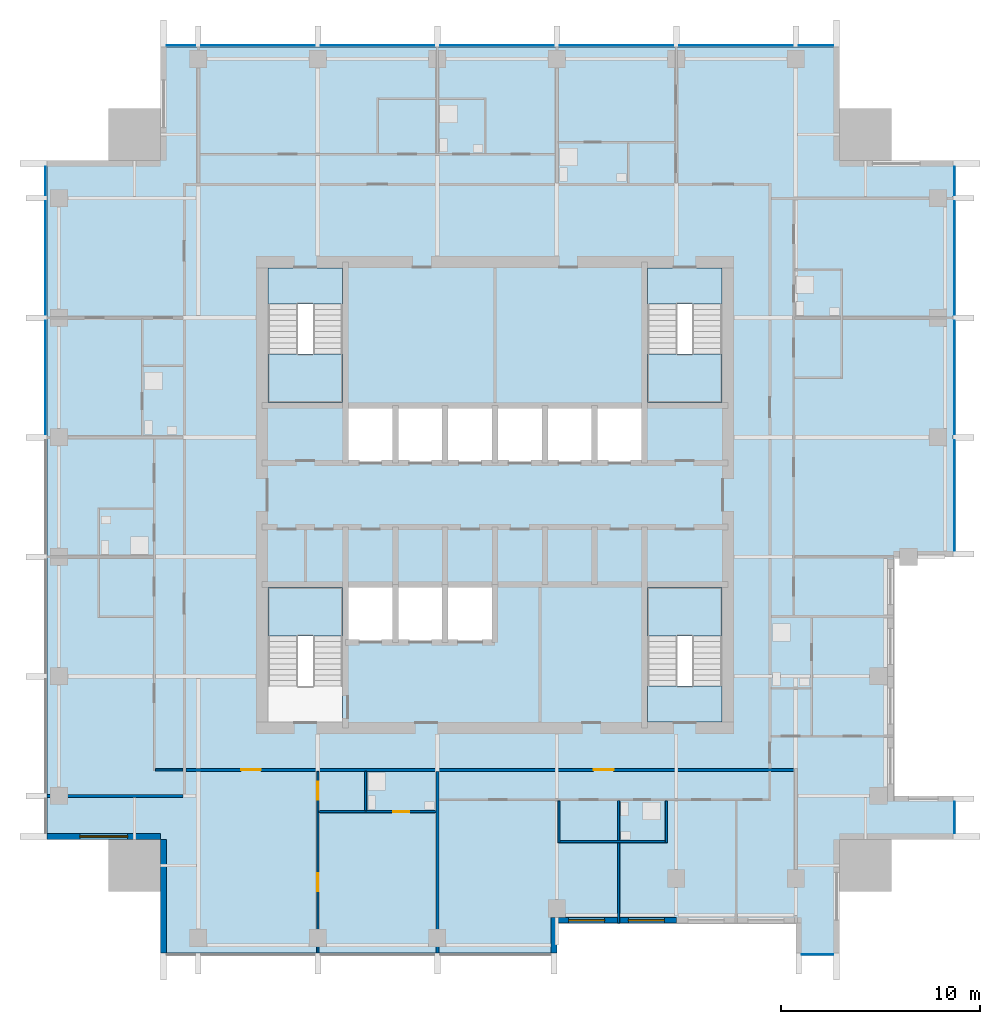
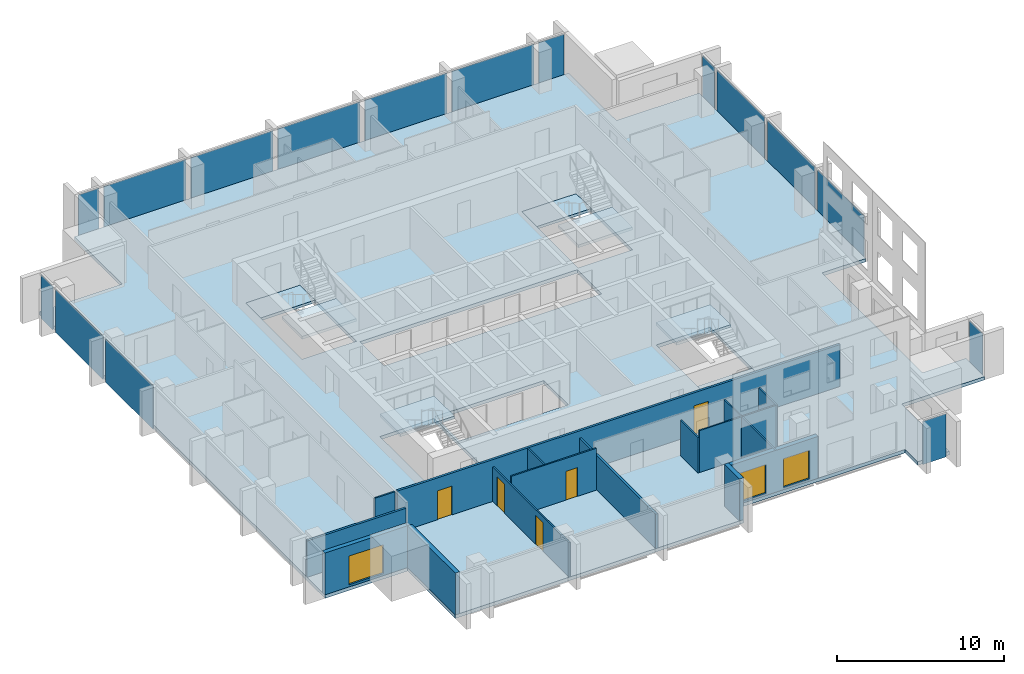
# One storey, part 3 of 10: 16 plates, 15 walls, 8 slabs, 5 doors, 3 windows, 8 openings, 9 elements without a shape of their own.
"""IFC4 building model written with IfcOpenShell, lengths in metres."""

from ifc_helpers import new_model, si_unit, direction, frame, frame_2d, origin, origin_2d, place, context, subcontext, project, spatial, polyline, rectangle, outline, extrude, material, layer, layer_set, type_object, element, fill, aggregate, save


model = new_model("IFC4")

# Units and contexts
model_context = context("Model", 3, precision=1e-05, world=origin(), true_north=direction((0.0, 1.0)))
body_context = subcontext(model_context, "Body", "Model", "MODEL_VIEW")
ifc_project = project(units=[si_unit("LENGTHUNIT", "METRE"), si_unit("AREAUNIT", "SQUARE_METRE"), si_unit("VOLUMEUNIT", "CUBIC_METRE"), si_unit("PLANEANGLEUNIT", "RADIAN"), si_unit("MASSUNIT", "GRAM", prefix="KILO")], contexts=[model_context])

# Site, building, storey
site_placement = place(None, origin())
site = spatial("IfcSite", under=ifc_project, at=site_placement, CompositionType="ELEMENT")
building_placement = place(site_placement, origin())
building = spatial("IfcBuilding", under=site, at=building_placement, Name="Amberfall Residences", CompositionType="ELEMENT")
storey_placement = place(building_placement, frame((0.0, 0.0, 206.800048828125)))
storey = spatial("IfcBuildingStorey", under=building, at=storey_placement, Name="L55", CompositionType="ELEMENT", Elevation=206.800048828125)

# Curtain wall, plate
ifc_material_1 = material(Name="Bronze anodised aluminium and glass", Category="aluminium")
curtain_wall_type = type_object("IfcCurtainWallType", Name="Curtain wall CW1 tower unit", PredefinedType="USERDEFINED", material=ifc_material_1)
curtain_wall_1_placement = place(storey_placement, origin())
curtain_wall_1 = element("IfcCurtainWall", 1, at=curtain_wall_1_placement, inside=storey, type_object=curtain_wall_type, Name="Curtain wall L55 S S6", ObjectType="UNITISED CURTAIN WALL", PredefinedType="USERDEFINED")
ifc_material_2 = material(Name="Tinted double glazed unit", Category="glass")
ifc_layer_1 = layer(ifc_material_2, 0.035888671875)
ifc_layer_set_1 = layer_set([ifc_layer_1], Name="CW1 panel 36 glazing")
plate_type = type_object("IfcPlateType", Name="CW1 panel 36 glazing", PredefinedType="CURTAIN_PANEL", material=ifc_layer_set_1)
plate_1_placement = place(storey_placement, frame((90.699951171875, 22.425048828125, -0.25), z_axis=(0.0, 0.0, 1.0), x_axis=(1.0, 0.0, 0.0)))
plate_1 = element("IfcPlate", 2, at=plate_1_placement, type_object=plate_type, Name="CW1 panel 1.1", PredefinedType="CURTAIN_PANEL", context=body_context, shape_type="SweptSolid", body=[
    extrude(rectangle(XDim=1.575927734375, YDim=0.035888671875, at=origin_2d()), origin(), (0.0, 0.0, 1.0), 3.14990234375),
])
aggregate(curtain_wall_1, [plate_1])

curtain_wall_2_placement = place(storey_placement, origin())
curtain_wall_2 = element("IfcCurtainWall", 3, at=curtain_wall_2_placement, inside=storey, type_object=curtain_wall_type, Name="Curtain wall L55 E E1", ObjectType="UNITISED CURTAIN WALL", PredefinedType="USERDEFINED")
plate_2_placement = place(storey_placement, frame((97.574951171875, 29.300048828125, -0.25), z_axis=(0.0, 0.0, 1.0), x_axis=(0.0, 1.0, 0.0)))
plate_2 = element("IfcPlate", 4, at=plate_2_placement, type_object=plate_type, Name="CW1 panel 1.1", PredefinedType="CURTAIN_PANEL", context=body_context, shape_type="SweptSolid", body=[
    extrude(rectangle(XDim=1.575927734375, YDim=0.035888671875, at=origin_2d()), origin(), (0.0, 0.0, 1.0), 3.14990234375),
])
aggregate(curtain_wall_2, [plate_2])

# Curtain wall, plates
curtain_wall_3_placement = place(storey_placement, origin())
curtain_wall_3 = element("IfcCurtainWall", 5, at=curtain_wall_3_placement, inside=storey, type_object=curtain_wall_type, Name="Curtain wall L55 E E6", ObjectType="UNITISED CURTAIN WALL", PredefinedType="USERDEFINED")
plate_3_placement = place(storey_placement, frame((97.574951171875, 45.47509765625, -0.25), z_axis=(0.0, 0.0, 1.0), x_axis=(0.0, 1.0, 0.0)))
plate_3 = element("IfcPlate", 6, at=plate_3_placement, type_object=plate_type, Name="CW1 panel 1.1", PredefinedType="CURTAIN_PANEL", context=body_context, shape_type="SweptSolid", body=[
    extrude(rectangle(XDim=5.52587890625, YDim=0.035888671875, at=origin_2d()), origin(), (0.0, 0.0, 1.0), 3.14990234375),
])
plate_4_placement = place(storey_placement, frame((97.574951171875, 51.39990234375, -0.25), z_axis=(0.0, 0.0, 1.0), x_axis=(0.0, 1.0, 0.0)))
plate_4 = element("IfcPlate", 7, at=plate_4_placement, type_object=plate_type, Name="CW1 panel 2.1", PredefinedType="CURTAIN_PANEL", context=body_context, shape_type="SweptSolid", body=[
    extrude(rectangle(XDim=5.676025390625, YDim=0.035888671875, at=origin_2d()), origin(), (0.0, 0.0, 1.0), 3.14990234375),
])
plate_5_placement = place(storey_placement, frame((97.574951171875, 57.39990234375, -0.25), z_axis=(0.0, 0.0, 1.0), x_axis=(0.0, 1.0, 0.0)))
plate_5 = element("IfcPlate", 8, at=plate_5_placement, type_object=plate_type, Name="CW1 panel 3.1", PredefinedType="CURTAIN_PANEL", context=body_context, shape_type="SweptSolid", body=[
    extrude(rectangle(XDim=5.676025390625, YDim=0.035888671875, at=origin_2d()), origin(), (0.0, 0.0, 1.0), 3.14990234375),
])
plate_6_placement = place(storey_placement, frame((97.574951171875, 61.27490234375, -0.25), z_axis=(0.0, 0.0, 1.0), x_axis=(0.0, 1.0, 0.0)))
plate_6 = element("IfcPlate", 9, at=plate_6_placement, type_object=plate_type, Name="CW1 panel 4.1", PredefinedType="CURTAIN_PANEL", context=body_context, shape_type="SweptSolid", body=[
    extrude(rectangle(XDim=1.426025390625, YDim=0.035888671875, at=origin_2d()), origin(), (0.0, 0.0, 1.0), 3.14990234375),
])
aggregate(curtain_wall_3, [plate_3, plate_4, plate_5, plate_6])

curtain_wall_4_placement = place(storey_placement, origin())
curtain_wall_4 = element("IfcCurtainWall", 10, at=curtain_wall_4_placement, inside=storey, type_object=curtain_wall_type, Name="Curtain wall L55 N N1", ObjectType="UNITISED CURTAIN WALL", PredefinedType="USERDEFINED")
plate_7_placement = place(storey_placement, frame((90.625, 68.074951171875, -0.25), z_axis=(0.0, 0.0, 1.0), x_axis=(-1.0, 0.0, 0.0)))
plate_7 = element("IfcPlate", 11, at=plate_7_placement, type_object=plate_type, Name="CW1 panel 1.1", PredefinedType="CURTAIN_PANEL", context=body_context, shape_type="SweptSolid", body=[
    extrude(rectangle(XDim=1.72607421875, YDim=0.035888671875, at=origin_2d()), origin(), (0.0, 0.0, 1.0), 3.14990234375),
])
plate_8_placement = place(storey_placement, frame((86.60009765625, 68.074951171875, -0.25), z_axis=(0.0, 0.0, 1.0), x_axis=(-1.0, 0.0, 0.0)))
plate_8 = element("IfcPlate", 12, at=plate_8_placement, type_object=plate_type, Name="CW1 panel 2.1", PredefinedType="CURTAIN_PANEL", context=body_context, shape_type="SweptSolid", body=[
    extrude(rectangle(XDim=5.676025390625, YDim=0.035888671875, at=origin_2d()), origin(), (0.0, 0.0, 1.0), 3.14990234375),
])
plate_9_placement = place(storey_placement, frame((80.60009765625, 68.074951171875, -0.25), z_axis=(0.0, 0.0, 1.0), x_axis=(-1.0, 0.0, 0.0)))
plate_9 = element("IfcPlate", 13, at=plate_9_placement, type_object=plate_type, Name="CW1 panel 3.1", PredefinedType="CURTAIN_PANEL", context=body_context, shape_type="SweptSolid", body=[
    extrude(rectangle(XDim=5.676025390625, YDim=0.035888671875, at=origin_2d()), origin(), (0.0, 0.0, 1.0), 3.14990234375),
])
plate_10_placement = place(storey_placement, frame((74.60009765625, 68.074951171875, -0.25), z_axis=(0.0, 0.0, 1.0), x_axis=(-1.0, 0.0, 0.0)))
plate_10 = element("IfcPlate", 14, at=plate_10_placement, type_object=plate_type, Name="CW1 panel 4.1", PredefinedType="CURTAIN_PANEL", context=body_context, shape_type="SweptSolid", body=[
    extrude(rectangle(XDim=5.676025390625, YDim=0.035888671875, at=origin_2d()), origin(), (0.0, 0.0, 1.0), 3.14990234375),
])
plate_11_placement = place(storey_placement, frame((68.60009765625, 68.074951171875, -0.25), z_axis=(0.0, 0.0, 1.0), x_axis=(-1.0, 0.0, 0.0)))
plate_11 = element("IfcPlate", 15, at=plate_11_placement, type_object=plate_type, Name="CW1 panel 5.1", PredefinedType="CURTAIN_PANEL", context=body_context, shape_type="SweptSolid", body=[
    extrude(rectangle(XDim=5.676025390625, YDim=0.035888671875, at=origin_2d()), origin(), (0.0, 0.0, 1.0), 3.14990234375),
])
plate_12_placement = place(storey_placement, frame((62.60009765625, 68.074951171875, -0.25), z_axis=(0.0, 0.0, 1.0), x_axis=(-1.0, 0.0, 0.0)))
plate_12 = element("IfcPlate", 16, at=plate_12_placement, type_object=plate_type, Name="CW1 panel 6.1", PredefinedType="CURTAIN_PANEL", context=body_context, shape_type="SweptSolid", body=[
    extrude(rectangle(XDim=5.676025390625, YDim=0.035888671875, at=origin_2d()), origin(), (0.0, 0.0, 1.0), 3.14990234375),
])
plate_13_placement = place(storey_placement, frame((58.72509765625, 68.074951171875, -0.25), z_axis=(0.0, 0.0, 1.0), x_axis=(-1.0, 0.0, 0.0)))
plate_13 = element("IfcPlate", 17, at=plate_13_placement, type_object=plate_type, Name="CW1 panel 7.1", PredefinedType="CURTAIN_PANEL", context=body_context, shape_type="SweptSolid", body=[
    extrude(rectangle(XDim=1.426025390625, YDim=0.035888671875, at=origin_2d()), origin(), (0.0, 0.0, 1.0), 3.14990234375),
])
aggregate(curtain_wall_4, [plate_7, plate_8, plate_9, plate_10, plate_11, plate_12, plate_13])

curtain_wall_5_placement = place(storey_placement, origin())
curtain_wall_5 = element("IfcCurtainWall", 18, at=curtain_wall_5_placement, inside=storey, type_object=curtain_wall_type, Name="Curtain wall L55 W W1", ObjectType="UNITISED CURTAIN WALL", PredefinedType="USERDEFINED")
plate_14_placement = place(storey_placement, frame((51.925048828125, 61.27490234375, -0.25), z_axis=(0.0, 0.0, 1.0), x_axis=(0.0, -1.0, 0.0)))
plate_14 = element("IfcPlate", 19, at=plate_14_placement, type_object=plate_type, Name="CW1 panel 1.1", PredefinedType="CURTAIN_PANEL", context=body_context, shape_type="SweptSolid", body=[
    extrude(rectangle(XDim=1.426025390625, YDim=0.035888671875, at=origin_2d()), origin(), (0.0, 0.0, 1.0), 3.14990234375),
])
plate_15_placement = place(storey_placement, frame((51.925048828125, 57.39990234375, -0.25), z_axis=(0.0, 0.0, 1.0), x_axis=(0.0, -1.0, 0.0)))
plate_15 = element("IfcPlate", 20, at=plate_15_placement, type_object=plate_type, Name="CW1 panel 2.1", PredefinedType="CURTAIN_PANEL", context=body_context, shape_type="SweptSolid", body=[
    extrude(rectangle(XDim=5.676025390625, YDim=0.035888671875, at=origin_2d()), origin(), (0.0, 0.0, 1.0), 3.14990234375),
])
plate_16_placement = place(storey_placement, frame((51.925048828125, 51.39990234375, -0.25), z_axis=(0.0, 0.0, 1.0), x_axis=(0.0, -1.0, 0.0)))
plate_16 = element("IfcPlate", 21, at=plate_16_placement, type_object=plate_type, Name="CW1 panel 3.1", PredefinedType="CURTAIN_PANEL", context=body_context, shape_type="SweptSolid", body=[
    extrude(rectangle(XDim=5.676025390625, YDim=0.035888671875, at=origin_2d()), origin(), (0.0, 0.0, 1.0), 3.14990234375),
])
aggregate(curtain_wall_5, [plate_14, plate_15, plate_16])

# Slab
ifc_material_3 = material(Name="Concrete C55", Category="concrete")
ifc_layer_2 = layer(ifc_material_3, 0.25)
ifc_layer_set_2 = layer_set([ifc_layer_2], Name="Floor slab 250 C55")
slab_type_1 = type_object("IfcSlabType", Name="Floor slab 250 C55", PredefinedType="FLOOR", material=ifc_layer_set_2)
slab_1_placement = place(storey_placement, frame((0.0, 0.0, -0.25)))
element("IfcSlab", 22, at=slab_1_placement, inside=storey, type_object=slab_type_1, Name="Floor slab S16 L55", PredefinedType="FLOOR", context=body_context, shape_type="SweptSolid", body=[
    extrude(outline(polyline([(89.60009765625, 22.5), (89.60009765625, 24.0), (83.60009765625, 24.0), (77.60009765625, 24.0), (77.60009765625, 22.5), (57.699951171875, 22.5), (57.699951171875, 28.199951171875), (52.0, 28.199951171875), (52.0, 62.300048828125), (57.699951171875, 62.300048828125), (57.699951171875, 68.0), (91.800048828125, 68.0), (91.800048828125, 62.300048828125), (97.5, 62.300048828125), (97.5, 42.39990234375), (94.5, 42.39990234375), (94.5, 36.39990234375), (94.5, 30.39990234375), (97.5, 30.39990234375), (97.5, 28.199951171875), (91.800048828125, 28.199951171875), (91.800048828125, 22.5), (89.60009765625, 22.5)]), holes=[polyline([(85.89990234375, 34.10009765625), (85.89990234375, 40.85009765625), (82.14990234375, 40.85009765625), (82.14990234375, 34.10009765625), (85.89990234375, 34.10009765625)]), polyline([(85.89990234375, 50.14990234375), (85.89990234375, 56.89990234375), (82.14990234375, 56.89990234375), (82.14990234375, 50.14990234375), (85.89990234375, 50.14990234375)]), polyline([(67.0, 50.0), (67.0, 47.10009765625), (69.5, 47.10009765625), (72.0, 47.10009765625), (74.5, 47.10009765625), (77.0, 47.10009765625), (79.5, 47.10009765625), (82.0, 47.10009765625), (82.0, 50.0), (79.5, 50.0), (77.0, 50.0), (74.5, 50.0), (72.0, 50.0), (69.5, 50.0), (67.0, 50.0)]), polyline([(69.5, 41.0), (67.0, 41.0), (67.0, 38.10009765625), (69.5, 38.10009765625), (72.0, 38.10009765625), (74.5, 38.10009765625), (74.5, 41.0), (72.0, 41.0), (69.5, 41.0)]), polyline([(66.85009765625, 40.85009765625), (63.10009765625, 40.85009765625), (63.10009765625, 34.10009765625), (66.85009765625, 34.10009765625), (66.85009765625, 40.85009765625)]), polyline([(66.85009765625, 56.89990234375), (63.10009765625, 56.89990234375), (63.10009765625, 50.14990234375), (66.85009765625, 50.14990234375), (66.85009765625, 56.89990234375)])]), origin(), (0.0, 0.0, 1.0), 0.25),
])

# Stair, slab
ifc_material_4 = material(Name="Concrete C40", Category="concrete")
stair_type = type_object("IfcStairType", Name="Exit stair 20 risers 165.0 mm", PredefinedType="HALF_TURN_STAIR", material=ifc_material_4)
stair_1_placement = place(storey_placement, origin())
stair_1 = element("IfcStair", 23, at=stair_1_placement, inside=storey, type_object=stair_type, Name="L55 Exit stair 1", PredefinedType="HALF_TURN_STAIR")
ifc_layer_3 = layer(ifc_material_4, 0.199951171875)
ifc_layer_set_3 = layer_set([ifc_layer_3], Name="Stair landing 200")
slab_type_2 = type_object("IfcSlabType", Name="Stair landing 200", PredefinedType="LANDING", material=ifc_layer_set_3)
slab_2_placement = place(storey_placement, frame((0.0, 0.0, 1.449951171875)))
slab_2 = element("IfcSlab", 24, at=slab_2_placement, type_object=slab_type_2, Name="ST3 landing 1", PredefinedType="LANDING", context=body_context, shape_type="SweptSolid", body=[
    extrude(outline(polyline([(66.85009765625, 38.419921875), (66.85009765625, 40.85009765625), (63.10009765625, 40.85009765625), (63.10009765625, 38.419921875), (66.85009765625, 38.419921875)])), origin(), (0.0, 0.0, 1.0), 0.199951171875),
])
aggregate(stair_1, [slab_2])

# Stair, slabs
stair_2_placement = place(storey_placement, origin())
stair_2 = element("IfcStair", 25, at=stair_2_placement, inside=storey, type_object=stair_type, Name="L55 Exit stair 2", PredefinedType="HALF_TURN_STAIR")
slab_3_placement = place(storey_placement, frame((0.0, 0.0, 1.449951171875)))
slab_3 = element("IfcSlab", 26, at=slab_3_placement, type_object=slab_type_2, Name="ST3 landing 1", PredefinedType="LANDING", context=body_context, shape_type="SweptSolid", body=[
    extrude(outline(polyline([(85.89990234375, 38.419921875), (85.89990234375, 40.85009765625), (82.14990234375, 40.85009765625), (82.14990234375, 38.419921875), (85.89990234375, 38.419921875)])), origin(), (0.0, 0.0, 1.0), 0.199951171875),
])
slab_4_placement = place(storey_placement, frame((0.0, 0.0, -0.199951171875)))
slab_4 = element("IfcSlab", 27, at=slab_4_placement, type_object=slab_type_2, Name="ST3 landing 2", PredefinedType="LANDING", context=body_context, shape_type="SweptSolid", body=[
    extrude(outline(polyline([(85.89990234375, 34.10009765625), (85.89990234375, 35.89990234375), (82.14990234375, 35.89990234375), (82.14990234375, 34.10009765625), (85.89990234375, 34.10009765625)])), origin(), (0.0, 0.0, 1.0), 0.199951171875),
])
aggregate(stair_2, [slab_3, slab_4])

stair_3_placement = place(storey_placement, origin())
stair_3 = element("IfcStair", 28, at=stair_3_placement, inside=storey, type_object=stair_type, Name="L55 Exit stair 3", PredefinedType="HALF_TURN_STAIR")
slab_5_placement = place(storey_placement, frame((0.0, 0.0, 1.449951171875)))
slab_5 = element("IfcSlab", 29, at=slab_5_placement, type_object=slab_type_2, Name="ST3 landing 1", PredefinedType="LANDING", context=body_context, shape_type="SweptSolid", body=[
    extrude(outline(polyline([(82.14990234375, 52.580078125), (82.14990234375, 50.14990234375), (85.89990234375, 50.14990234375), (85.89990234375, 52.580078125), (82.14990234375, 52.580078125)])), origin(), (0.0, 0.0, 1.0), 0.199951171875),
])
slab_6_placement = place(storey_placement, frame((0.0, 0.0, -0.199951171875)))
slab_6 = element("IfcSlab", 30, at=slab_6_placement, type_object=slab_type_2, Name="ST3 landing 2", PredefinedType="LANDING", context=body_context, shape_type="SweptSolid", body=[
    extrude(outline(polyline([(82.14990234375, 56.89990234375), (82.14990234375, 55.10009765625), (85.89990234375, 55.10009765625), (85.89990234375, 56.89990234375), (82.14990234375, 56.89990234375)])), origin(), (0.0, 0.0, 1.0), 0.199951171875),
])
aggregate(stair_3, [slab_5, slab_6])

stair_4_placement = place(storey_placement, origin())
stair_4 = element("IfcStair", 31, at=stair_4_placement, inside=storey, type_object=stair_type, Name="L55 Exit stair 4", PredefinedType="HALF_TURN_STAIR")
slab_7_placement = place(storey_placement, frame((0.0, 0.0, 1.449951171875)))
slab_7 = element("IfcSlab", 32, at=slab_7_placement, type_object=slab_type_2, Name="ST3 landing 1", PredefinedType="LANDING", context=body_context, shape_type="SweptSolid", body=[
    extrude(outline(polyline([(63.10009765625, 52.580078125), (63.10009765625, 50.14990234375), (66.85009765625, 50.14990234375), (66.85009765625, 52.580078125), (63.10009765625, 52.580078125)])), origin(), (0.0, 0.0, 1.0), 0.199951171875),
])
slab_8_placement = place(storey_placement, frame((0.0, 0.0, -0.199951171875)))
slab_8 = element("IfcSlab", 33, at=slab_8_placement, type_object=slab_type_2, Name="ST3 landing 2", PredefinedType="LANDING", context=body_context, shape_type="SweptSolid", body=[
    extrude(outline(polyline([(63.10009765625, 56.89990234375), (63.10009765625, 55.10009765625), (66.85009765625, 55.10009765625), (66.85009765625, 56.89990234375), (63.10009765625, 56.89990234375)])), origin(), (0.0, 0.0, 1.0), 0.199951171875),
])
aggregate(stair_4, [slab_7, slab_8])

# Wall
ifc_material_5 = material(Name="Pale stone cladding on insulated backing", Category="masonry")
ifc_layer_4 = layer(ifc_material_5, 0.300048828125)
ifc_layer_set_4 = layer_set([ifc_layer_4], Name="Bronze clad wall 300")
wall_type_1 = type_object("IfcWallType", Name="Bronze clad wall 300", PredefinedType="SOLIDWALL", material=ifc_layer_set_4)
wall_1_placement = place(storey_placement, frame((77.449951171875, 22.5, 0.0), z_axis=(0.0, 0.0, 1.0), x_axis=(0.0, 1.0, 0.0)))
element("IfcWall", 34, at=wall_1_placement, inside=storey, type_object=wall_type_1, Name="External wall L55 S", PredefinedType="SOLIDWALL", context=body_context, shape_type="SweptSolid", body=[
    extrude(rectangle(XDim=1.800048828125, YDim=0.300048828125, at=frame_2d((0.89990234375, 0.0))), origin(), (0.0, 0.0, 1.0), 3.050048828125),
])

# Wall, opening, window
wall_2_placement = place(storey_placement, frame((52.0, 28.35009765625, 0.0), z_axis=(0.0, 0.0, 1.0), x_axis=(1.0, 0.0, 0.0)))
wall_2 = element("IfcWall", 35, at=wall_2_placement, inside=storey, type_object=wall_type_1, Name="External wall L55 SW", PredefinedType="SOLIDWALL", context=body_context, shape_type="SweptSolid", body=[
    extrude(rectangle(XDim=5.699951171875, YDim=0.300048828125, at=frame_2d((2.85009765625, 0.0))), origin(), (0.0, 0.0, 1.0), 3.050048828125),
])
opening_1_placement = place(wall_2_placement, frame((1.64990234375, 0.0, 0.14990234375)))
opening_1 = element("IfcOpeningElement", 36, at=opening_1_placement, cuts=wall_2, Name="Opening WN5", PredefinedType="OPENING", context=body_context, shape_type="SweptSolid", body=[
    extrude(rectangle(XDim=2.39990234375, YDim=2.10009765625, at=frame_2d((1.199951171875, 1.050048828125))), frame((0.0, 0.159912109375, 0.0), z_axis=(0.0, -1.0, 0.0), x_axis=(1.0, 0.0, 0.0)), (0.0, 0.0, 1.0), 0.320068359375),
])
ifc_material_6 = material(Name="Bronze aluminium framed glazing", Category="aluminium")
window_type_1 = type_object("IfcWindowType", Name="Glazed opening 2400 x 2100 bronze", PartitioningType="DOUBLE_PANEL_VERTICAL", PredefinedType="WINDOW", material=ifc_material_6)
window_1_placement = place(opening_1_placement, origin())
window_1 = element("IfcWindow", 37, at=window_1_placement, inside=storey, type_object=window_type_1, Name="Window L55 SW", OverallHeight=2.10009765625, OverallWidth=2.39990234375, PartitioningType="DOUBLE_PANEL_VERTICAL", PredefinedType="WINDOW", context=body_context, shape_type="SweptSolid", body=[
    extrude(rectangle(XDim=2.39990234375, YDim=2.10009765625, at=frame_2d((1.199951171875, 1.050048828125))), frame((0.0, 0.030029296875, 0.0), z_axis=(0.0, -1.0, 0.0), x_axis=(1.0, 0.0, 0.0)), (0.0, 0.0, 1.0), 0.06005859375),
])
fill(opening_1, window_1)

# Wall
wall_3_placement = place(storey_placement, frame((57.85009765625, 28.199951171875, 0.0), z_axis=(0.0, 0.0, 1.0), x_axis=(0.0, -1.0, 0.0)))
element("IfcWall", 38, at=wall_3_placement, inside=storey, type_object=wall_type_1, Name="External wall L55 SW", PredefinedType="SOLIDWALL", context=body_context, shape_type="SweptSolid", body=[
    extrude(rectangle(XDim=5.699951171875, YDim=0.300048828125, at=frame_2d((2.85009765625, 0.0))), origin(), (0.0, 0.0, 1.0), 3.050048828125),
])

# Wall, openings, windows
wall_4_placement = place(storey_placement, frame((77.60009765625, 24.14990234375, 0.0), z_axis=(0.0, 0.0, 1.0), x_axis=(1.0, 0.0, 0.0)))
wall_4 = element("IfcWall", 39, at=wall_4_placement, inside=storey, type_object=wall_type_1, Name="Stone wall L55 S", PredefinedType="SOLIDWALL", context=body_context, shape_type="SweptSolid", body=[
    extrude(rectangle(XDim=6.0, YDim=0.300048828125, at=frame_2d((3.0, 0.0))), origin(), (0.0, 0.0, 1.0), 3.050048828125),
])
opening_2_placement = place(wall_4_placement, frame((0.60009765625, 0.0, 0.14990234375)))
opening_2 = element("IfcOpeningElement", 40, at=opening_2_placement, cuts=wall_4, Name="Opening WN6", PredefinedType="OPENING", context=body_context, shape_type="SweptSolid", body=[
    extrude(rectangle(XDim=1.800048828125, YDim=2.10009765625, at=frame_2d((0.89990234375, 1.050048828125))), frame((0.0, 0.159912109375, 0.0), z_axis=(0.0, -1.0, 0.0), x_axis=(1.0, 0.0, 0.0)), (0.0, 0.0, 1.0), 0.320068359375),
])
opening_3_placement = place(wall_4_placement, frame((3.60009765625, 0.0, 0.14990234375)))
opening_3 = element("IfcOpeningElement", 41, at=opening_3_placement, cuts=wall_4, Name="Opening WN6", PredefinedType="OPENING", context=body_context, shape_type="SweptSolid", body=[
    extrude(rectangle(XDim=1.800048828125, YDim=2.10009765625, at=frame_2d((0.89990234375, 1.050048828125))), frame((0.0, 0.159912109375, 0.0), z_axis=(0.0, -1.0, 0.0), x_axis=(1.0, 0.0, 0.0)), (0.0, 0.0, 1.0), 0.320068359375),
])
window_type_2 = type_object("IfcWindowType", Name="Glazed opening 1800 x 2100 bronze", PartitioningType="DOUBLE_PANEL_VERTICAL", PredefinedType="WINDOW", material=ifc_material_6)
window_2_placement = place(opening_2_placement, origin())
window_2 = element("IfcWindow", 42, at=window_2_placement, inside=storey, type_object=window_type_2, Name="Window L55 S", OverallHeight=2.10009765625, OverallWidth=1.800048828125, PartitioningType="DOUBLE_PANEL_VERTICAL", PredefinedType="WINDOW", context=body_context, shape_type="SweptSolid", body=[
    extrude(rectangle(XDim=1.800048828125, YDim=2.10009765625, at=frame_2d((0.89990234375, 1.050048828125))), frame((0.0, 0.030029296875, 0.0), z_axis=(0.0, -1.0, 0.0), x_axis=(1.0, 0.0, 0.0)), (0.0, 0.0, 1.0), 0.06005859375),
])
fill(opening_2, window_2)
window_3_placement = place(opening_3_placement, origin())
window_3 = element("IfcWindow", 43, at=window_3_placement, inside=storey, type_object=window_type_2, Name="Window L55 S", OverallHeight=2.10009765625, OverallWidth=1.800048828125, PartitioningType="DOUBLE_PANEL_VERTICAL", PredefinedType="WINDOW", context=body_context, shape_type="SweptSolid", body=[
    extrude(rectangle(XDim=1.800048828125, YDim=2.10009765625, at=frame_2d((0.89990234375, 1.050048828125))), frame((0.0, 0.030029296875, 0.0), z_axis=(0.0, -1.0, 0.0), x_axis=(1.0, 0.0, 0.0)), (0.0, 0.0, 1.0), 0.06005859375),
])
fill(opening_3, window_3)

# Wall, openings, doors
ifc_material_7 = material(Name="Gypsum board on metal stud")
ifc_layer_5 = layer(ifc_material_7, 0.10009765625)
ifc_layer_set_5 = layer_set([ifc_layer_5], Name="Flat partition 100")
wall_type_2 = type_object("IfcWallType", Name="Flat partition 100", PredefinedType="PARTITIONING", material=ifc_layer_set_5)
wall_5_placement = place(storey_placement, frame((65.60009765625, 31.625, 0.0), z_axis=(0.0, 0.0, 1.0), x_axis=(0.0, -1.0, 0.0)))
wall_5 = element("IfcWall", 44, at=wall_5_placement, inside=storey, type_object=wall_type_2, Name="Partition 004", PredefinedType="PARTITIONING", context=body_context, shape_type="SweptSolid", body=[
    extrude(rectangle(XDim=9.125, YDim=0.10009765625, at=frame_2d((4.5625, 0.0))), origin(), (0.0, 0.0, 1.0), 2.515869140625),
])
opening_4_placement = place(wall_5_placement, frame((0.52490234375, 0.0, 0.0)))
opening_4 = element("IfcOpeningElement", 45, at=opening_4_placement, cuts=wall_5, Name="Opening D41", PredefinedType="OPENING", context=body_context, shape_type="SweptSolid", body=[
    extrude(rectangle(XDim=0.89990234375, YDim=2.10009765625, at=frame_2d((0.449951171875, 1.050048828125))), frame((0.0, 0.06005859375, 0.0), z_axis=(0.0, -1.0, 0.0), x_axis=(1.0, 0.0, 0.0)), (0.0, 0.0, 1.0), 0.1201171875),
])
opening_5_placement = place(wall_5_placement, frame((5.125, 0.0, 0.0)))
opening_5 = element("IfcOpeningElement", 46, at=opening_5_placement, cuts=wall_5, Name="Opening D41", PredefinedType="OPENING", context=body_context, shape_type="SweptSolid", body=[
    extrude(rectangle(XDim=0.89990234375, YDim=2.10009765625, at=frame_2d((0.449951171875, 1.050048828125))), frame((0.0, 0.06005859375, 0.0), z_axis=(0.0, -1.0, 0.0), x_axis=(1.0, 0.0, 0.0)), (0.0, 0.0, 1.0), 0.1201171875),
])
ifc_material_8 = material(Name="Timber", Category="wood")
door_type_1 = type_object("IfcDoorType", Name="Internal door 900 x 2100", OperationType="SINGLE_SWING_LEFT", PredefinedType="DOOR", material=ifc_material_8)
door_1_placement = place(opening_4_placement, origin())
door_1 = element("IfcDoor", 47, at=door_1_placement, inside=storey, type_object=door_type_1, Name="Door 5501 kitchen", OperationType="SINGLE_SWING_LEFT", OverallHeight=2.10009765625, OverallWidth=0.89990234375, PredefinedType="DOOR", context=body_context, shape_type="SweptSolid", body=[
    extrude(rectangle(XDim=0.89990234375, YDim=2.10009765625, at=frame_2d((0.449951171875, 1.050048828125))), frame((0.0, 0.02490234375, 0.0), z_axis=(0.0, -1.0, 0.0), x_axis=(1.0, 0.0, 0.0)), (0.0, 0.0, 1.0), 0.050048828125),
])
fill(opening_4, door_1)
door_2_placement = place(opening_5_placement, origin())
door_2 = element("IfcDoor", 48, at=door_2_placement, inside=storey, type_object=door_type_1, Name="Door 5501 bedroom1", OperationType="SINGLE_SWING_LEFT", OverallHeight=2.10009765625, OverallWidth=0.89990234375, PredefinedType="DOOR", context=body_context, shape_type="SweptSolid", body=[
    extrude(rectangle(XDim=0.89990234375, YDim=2.10009765625, at=frame_2d((0.449951171875, 1.050048828125))), frame((0.0, 0.02490234375, 0.0), z_axis=(0.0, -1.0, 0.0), x_axis=(1.0, 0.0, 0.0)), (0.0, 0.0, 1.0), 0.050048828125),
])
fill(opening_5, door_2)

# Walls
wall_6_placement = place(storey_placement, frame((68.0, 29.64990234375, 0.0), z_axis=(0.0, 0.0, 1.0), x_axis=(0.0, 1.0, 0.0)))
element("IfcWall", 49, at=wall_6_placement, inside=storey, type_object=wall_type_2, Name="Partition 005", PredefinedType="PARTITIONING", context=body_context, shape_type="SweptSolid", body=[
    extrude(rectangle(XDim=1.97509765625, YDim=0.10009765625, at=frame_2d((0.987548828125, 0.0))), origin(), (0.0, 0.0, 1.0), 3.050048828125),
])
wall_7_placement = place(storey_placement, frame((77.699951171875, 28.050048828125, 0.0), z_axis=(0.0, 0.0, 1.0), x_axis=(0.0, 1.0, 0.0)))
element("IfcWall", 50, at=wall_7_placement, inside=storey, type_object=wall_type_2, Name="Partition 009", PredefinedType="PARTITIONING", context=body_context, shape_type="SweptSolid", body=[
    extrude(rectangle(XDim=2.099853515625, YDim=0.10009765625, at=frame_2d((1.0498046875, 0.0))), origin(), (0.0, 0.0, 1.0), 2.58984375),
])
wall_8_placement = place(storey_placement, frame((80.699951171875, 24.0, 0.0), z_axis=(0.0, 0.0, 1.0), x_axis=(0.0, 1.0, 0.0)))
element("IfcWall", 51, at=wall_8_placement, inside=storey, type_object=wall_type_2, Name="Partition 010", PredefinedType="PARTITIONING", context=body_context, shape_type="SweptSolid", body=[
    extrude(rectangle(XDim=6.14990234375, YDim=0.10009765625, at=frame_2d((3.074951171875, 0.0))), origin(), (0.0, 0.0, 1.0), 3.050048828125),
])
wall_9_placement = place(storey_placement, frame((83.10009765625, 28.050048828125, 0.0), z_axis=(0.0, 0.0, 1.0), x_axis=(0.0, 1.0, 0.0)))
element("IfcWall", 52, at=wall_9_placement, inside=storey, type_object=wall_type_2, Name="Partition 012", PredefinedType="PARTITIONING", context=body_context, shape_type="SweptSolid", body=[
    extrude(rectangle(XDim=2.099853515625, YDim=0.10009765625, at=frame_2d((1.0498046875, 0.0))), origin(), (0.0, 0.0, 1.0), 3.050048828125),
])
wall_10_placement = place(storey_placement, frame((57.449951171875, 31.699951171875, 0.0), z_axis=(0.0, 0.0, 1.0), x_axis=(1.0, 0.0, 0.0)))
element("IfcWall", 53, at=wall_10_placement, inside=storey, type_object=wall_type_2, Name="Partition 033", PredefinedType="PARTITIONING", context=body_context, shape_type="SweptSolid", body=[
    extrude(rectangle(XDim=1.375, YDim=0.10009765625, at=frame_2d((0.6875, 0.0))), origin(), (0.0, 0.0, 1.0), 3.050048828125),
])

# Wall, opening, door
wall_11_placement = place(storey_placement, frame((65.64990234375, 29.60009765625, 0.0), z_axis=(0.0, 0.0, 1.0), x_axis=(1.0, 0.0, 0.0)))
wall_11 = element("IfcWall", 54, at=wall_11_placement, inside=storey, type_object=wall_type_2, Name="Partition 035", PredefinedType="PARTITIONING", context=body_context, shape_type="SweptSolid", body=[
    extrude(rectangle(XDim=5.875, YDim=0.10009765625, at=frame_2d((2.9375, 0.0))), origin(), (0.0, 0.0, 1.0), 3.050048828125),
])
opening_6_placement = place(wall_11_placement, frame((3.75, 0.0, 0.0)))
opening_6 = element("IfcOpeningElement", 55, at=opening_6_placement, cuts=wall_11, Name="Opening D42", PredefinedType="OPENING", context=body_context, shape_type="SweptSolid", body=[
    extrude(rectangle(XDim=0.800048828125, YDim=2.10009765625, at=frame_2d((0.39990234375, 1.050048828125))), frame((0.0, 0.06005859375, 0.0), z_axis=(0.0, -1.0, 0.0), x_axis=(1.0, 0.0, 0.0)), (0.0, 0.0, 1.0), 0.1201171875),
])
door_type_2 = type_object("IfcDoorType", Name="Bathroom door 800 x 2100", OperationType="SINGLE_SWING_LEFT", PredefinedType="DOOR", material=ifc_material_8)
door_3_placement = place(opening_6_placement, origin())
door_3 = element("IfcDoor", 56, at=door_3_placement, inside=storey, type_object=door_type_2, Name="Door 5501 bath1", OperationType="SINGLE_SWING_LEFT", OverallHeight=2.10009765625, OverallWidth=0.800048828125, PredefinedType="DOOR", context=body_context, shape_type="SweptSolid", body=[
    extrude(rectangle(XDim=0.800048828125, YDim=2.10009765625, at=frame_2d((0.39990234375, 1.050048828125))), frame((0.0, 0.02490234375, 0.0), z_axis=(0.0, -1.0, 0.0), x_axis=(1.0, 0.0, 0.0)), (0.0, 0.0, 1.0), 0.050048828125),
])
fill(opening_6, door_3)

# Walls
wall_12_placement = place(storey_placement, frame((77.75, 28.10009765625, 0.0), z_axis=(0.0, 0.0, 1.0), x_axis=(1.0, 0.0, 0.0)))
element("IfcWall", 57, at=wall_12_placement, inside=storey, type_object=wall_type_2, Name="Partition 036", PredefinedType="PARTITIONING", context=body_context, shape_type="SweptSolid", body=[
    extrude(rectangle(XDim=5.300048828125, YDim=0.10009765625, at=frame_2d((2.64990234375, 0.0))), origin(), (0.0, 0.0, 1.0), 3.050048828125),
])
ifc_material_9 = material(Name="Blockwork, plastered", Category="masonry")
ifc_layer_6 = layer(ifc_material_9, 0.14990234375)
ifc_layer_set_6 = layer_set([ifc_layer_6], Name="Flat separating wall 150")
wall_type_3 = type_object("IfcWallType", Name="Flat separating wall 150", PredefinedType="PARTITIONING", material=ifc_layer_set_6)
wall_13_placement = place(storey_placement, frame((71.60009765625, 22.5, 0.0), z_axis=(0.0, 0.0, 1.0), x_axis=(0.0, 1.0, 0.0)))
element("IfcWall", 58, at=wall_13_placement, inside=storey, type_object=wall_type_3, Name="Separating wall 039", PredefinedType="PARTITIONING", context=body_context, shape_type="SweptSolid", body=[
    extrude(rectangle(XDim=9.125, YDim=0.14990234375, at=frame_2d((4.5625, 0.0))), origin(), (0.0, 0.0, 1.0), 2.515869140625),
])

# Wall, openings, doors
wall_14_placement = place(storey_placement, frame((89.52490234375, 31.699951171875, 0.0), z_axis=(0.0, 0.0, 1.0), x_axis=(-1.0, 0.0, 0.0)))
wall_14 = element("IfcWall", 59, at=wall_14_placement, inside=storey, type_object=wall_type_3, Name="Separating wall 047", PredefinedType="PARTITIONING", context=body_context, shape_type="SweptSolid", body=[
    extrude(rectangle(XDim=30.5498046875, YDim=0.14990234375, at=frame_2d((15.27490234375, 0.0))), origin(), (0.0, 0.0, 1.0), 3.050048828125),
])
opening_7_placement = place(wall_14_placement, frame((26.77490234375, 0.0, 0.0)))
opening_7 = element("IfcOpeningElement", 60, at=opening_7_placement, cuts=wall_14, Name="Opening D40", PredefinedType="OPENING", context=body_context, shape_type="SweptSolid", body=[
    extrude(rectangle(XDim=1.0, YDim=2.10009765625, at=frame_2d((0.5, 1.050048828125))), frame((0.0, 0.0849609375, 0.0), z_axis=(0.0, -1.0, 0.0), x_axis=(1.0, 0.0, 0.0)), (0.0, 0.0, 1.0), 0.169921875),
])
opening_8_placement = place(wall_14_placement, frame((9.074951171875, 0.0, 0.0)))
opening_8 = element("IfcOpeningElement", 61, at=opening_8_placement, cuts=wall_14, Name="Opening D40", PredefinedType="OPENING", context=body_context, shape_type="SweptSolid", body=[
    extrude(rectangle(XDim=1.0, YDim=2.10009765625, at=frame_2d((0.5, 1.050048828125))), frame((0.0, 0.0849609375, 0.0), z_axis=(0.0, -1.0, 0.0), x_axis=(1.0, 0.0, 0.0)), (0.0, 0.0, 1.0), 0.169921875),
])
ifc_material_10 = material(Name="Timber, fire-rated", Category="wood")
door_type_3 = type_object("IfcDoorType", Name="Flat entrance door FD60 1000 x 2100", OperationType="SINGLE_SWING_LEFT", PredefinedType="DOOR", material=ifc_material_10)
door_4_placement = place(opening_7_placement, origin())
door_4 = element("IfcDoor", 62, at=door_4_placement, inside=storey, type_object=door_type_3, Name="Door 5501 entrance", OperationType="SINGLE_SWING_LEFT", OverallHeight=2.10009765625, OverallWidth=1.0, PredefinedType="DOOR", context=body_context, shape_type="SweptSolid", body=[
    extrude(rectangle(XDim=1.0, YDim=2.10009765625, at=frame_2d((0.5, 1.050048828125))), frame((0.0, 0.02490234375, 0.0), z_axis=(0.0, -1.0, 0.0), x_axis=(1.0, 0.0, 0.0)), (0.0, 0.0, 1.0), 0.050048828125),
])
fill(opening_7, door_4)
door_5_placement = place(opening_8_placement, origin())
door_5 = element("IfcDoor", 63, at=door_5_placement, inside=storey, type_object=door_type_3, Name="Door 5502 entrance", OperationType="SINGLE_SWING_LEFT", OverallHeight=2.10009765625, OverallWidth=1.0, PredefinedType="DOOR", context=body_context, shape_type="SweptSolid", body=[
    extrude(rectangle(XDim=1.0, YDim=2.10009765625, at=frame_2d((0.5, 1.050048828125))), frame((0.0, 0.02490234375, 0.0), z_axis=(0.0, -1.0, 0.0), x_axis=(1.0, 0.0, 0.0)), (0.0, 0.0, 1.0), 0.050048828125),
])
fill(opening_8, door_5)

# Wall
wall_15_placement = place(storey_placement, frame((52.0, 30.39990234375, 0.0), z_axis=(0.0, 0.0, 1.0), x_axis=(1.0, 0.0, 0.0)))
element("IfcWall", 64, at=wall_15_placement, inside=storey, type_object=wall_type_3, Name="Separating wall 048", PredefinedType="PARTITIONING", context=body_context, shape_type="SweptSolid", body=[
    extrude(rectangle(XDim=6.824951171875, YDim=0.14990234375, at=frame_2d((3.41259765625, 0.0))), origin(), (0.0, 0.0, 1.0), 2.64697265625),
])

save(model, "model.ifc")
